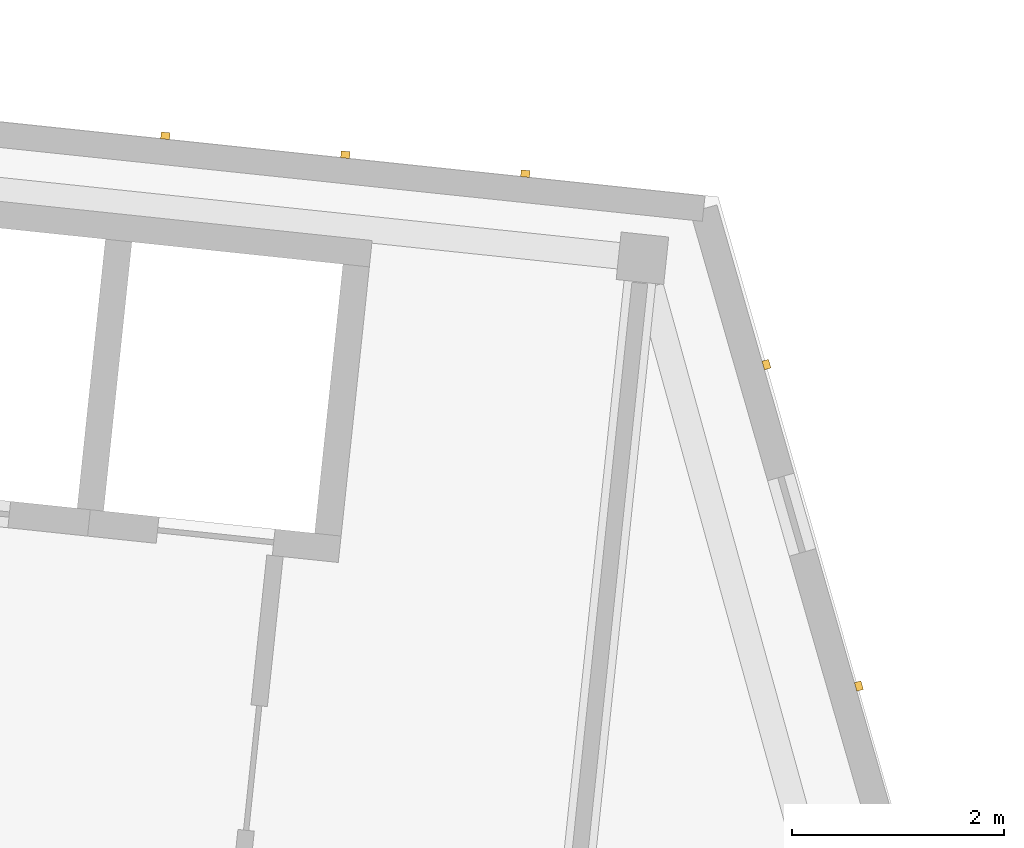
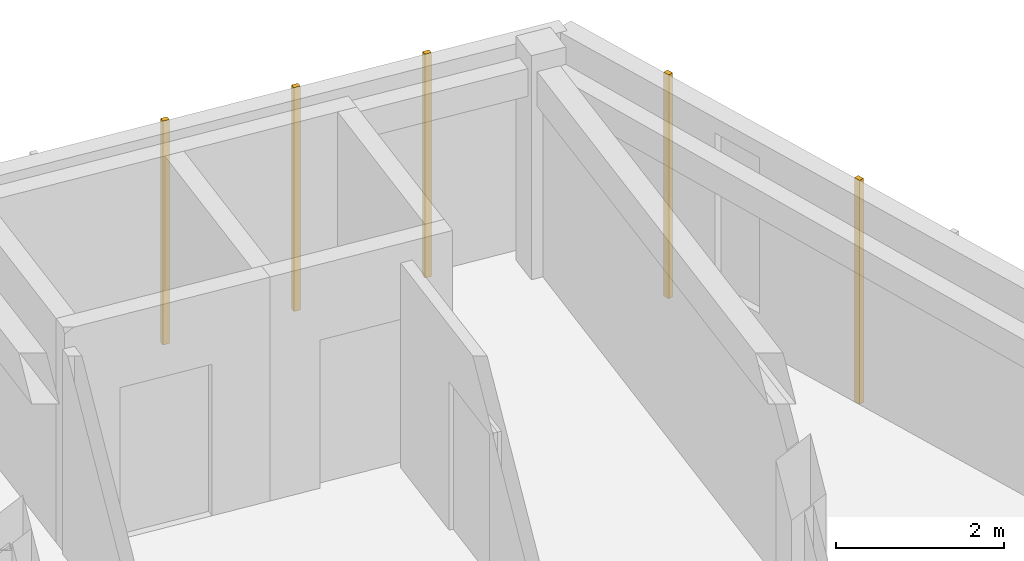
# One storey, part 45 of 45: 5 coverings.
"""IFC4 building model written with IfcOpenShell, lengths in metres."""

from ifc_helpers import new_model, si_unit, direction, frame, origin, origin_2d, place, context, subcontext, project, spatial, rectangle, extrude, material, layer, layer_set, type_object, element, save


model = new_model("IFC4")

# Units and contexts
model_context = context("Model", 3, precision=1e-05, world=origin(), true_north=direction((0.0, 1.0)))
body_context = subcontext(model_context, "Body", "Model", "MODEL_VIEW")
ifc_project = project(units=[si_unit("LENGTHUNIT", "METRE"), si_unit("AREAUNIT", "SQUARE_METRE"), si_unit("VOLUMEUNIT", "CUBIC_METRE"), si_unit("PLANEANGLEUNIT", "RADIAN"), si_unit("MASSUNIT", "GRAM", prefix="KILO")], contexts=[model_context])

# Site, building, storey
site_placement = place(None, origin())
site = spatial("IfcSite", under=ifc_project, at=site_placement, CompositionType="ELEMENT")
building_placement = place(site_placement, origin())
building = spatial("IfcBuilding", under=site, at=building_placement, Name="Kestramere Prow Commons", CompositionType="ELEMENT")
storey_placement = place(building_placement, frame((0.0, 0.0, 31.14990234375)))
storey = spatial("IfcBuildingStorey", under=building, at=storey_placement, Name="L09", CompositionType="ELEMENT", Elevation=31.14990234375)

# Coverings
ifc_material = material(Name="Weathered Zinc-Titanium Standing-Seam Cladding")
ifc_layer = layer(ifc_material, 0.074951171875)
ifc_layer_set = layer_set([ifc_layer], Name="Weathered Zinc-Titanium Standing-Seam Cladding")
covering_type = type_object("IfcCoveringType", Name="COV-CLAD-SEAM", PredefinedType="CLADDING", material=ifc_layer_set)
for number, where, z_axis, x_axis, name in (
    (1, (155.291748046875, 110.428955078125, -0.25), (0.0, 0.0, 1.0), (0.994521895368, -0.104528463268, 0.0), "EW-B-L09-N-5 Standing-Seam Rib 2"),
    (2, (156.987548828125, 110.250732421875, -0.25), (0.0, 0.0, 1.0), (0.994521895368, -0.104528463268, 0.0), "EW-B-L09-N-5 Standing-Seam Rib 3"),
    (3, (158.68310546875, 110.072509765625, -0.25), (0.0, 0.0, 1.0), (0.994521895368, -0.104528463268, 0.0), "EW-B-L09-N-5 Standing-Seam Rib 4"),
    (4, (160.954345703125, 108.273193359375, -0.25), (0.0, 0.0, 1.0), (0.27631844013, -0.961066136977, 0.0), "EW-B-L09-PRW-N Standing-Seam Rib 1"),
    (5, (161.824951171875, 105.24462890625, -0.25), (0.0, 0.0, 1.0), (0.27631844013, -0.961066136977, 0.0), "EW-B-L09-PRW-N Standing-Seam Rib 3"),
):
    element("IfcCovering", number, at=place(storey_placement, frame(where, z_axis=z_axis, x_axis=x_axis)), inside=storey, type_object=covering_type, Name=name, PredefinedType="CLADDING", context=body_context, shape_type="SweptSolid", body=[
        extrude(rectangle(XDim=0.0849609375, YDim=0.06494140625, at=origin_2d()), origin(), (0.0, 0.0, 1.0), 3.25),
    ])

save(model, "model.ifc")
